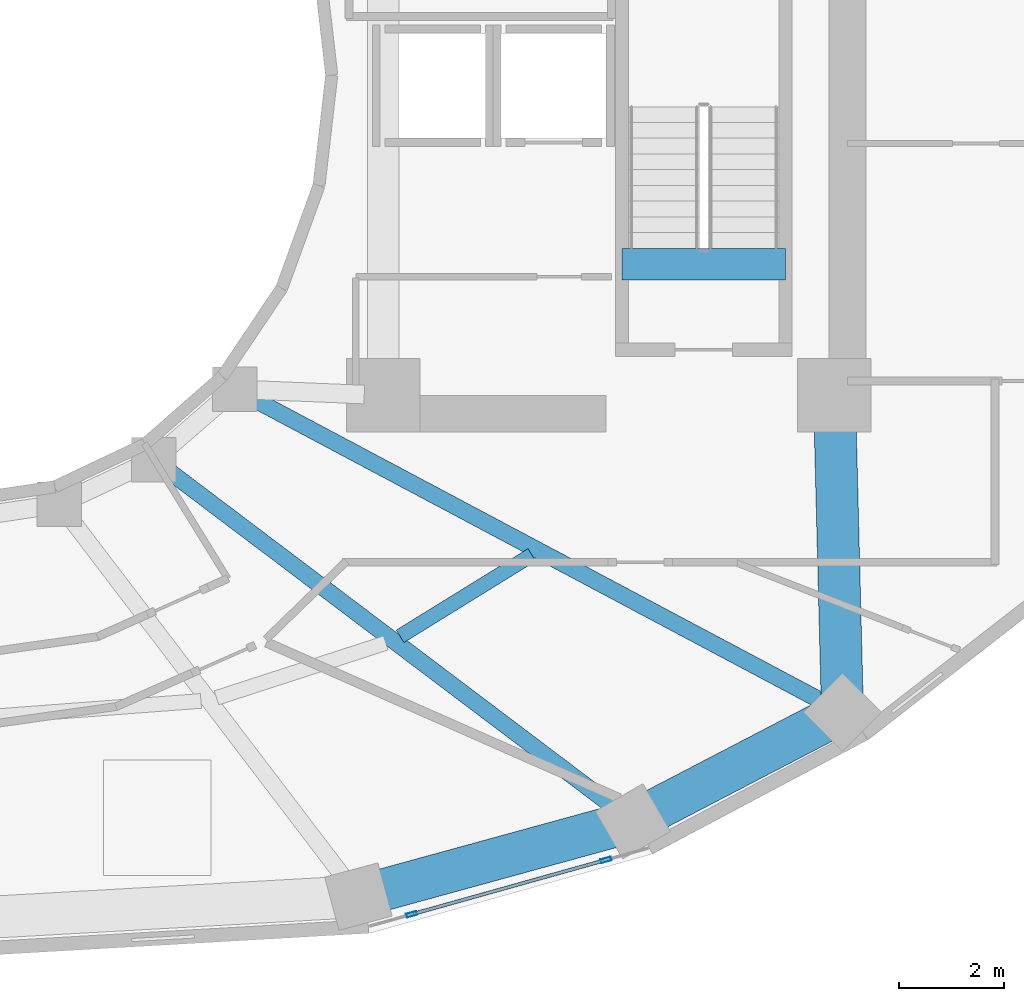
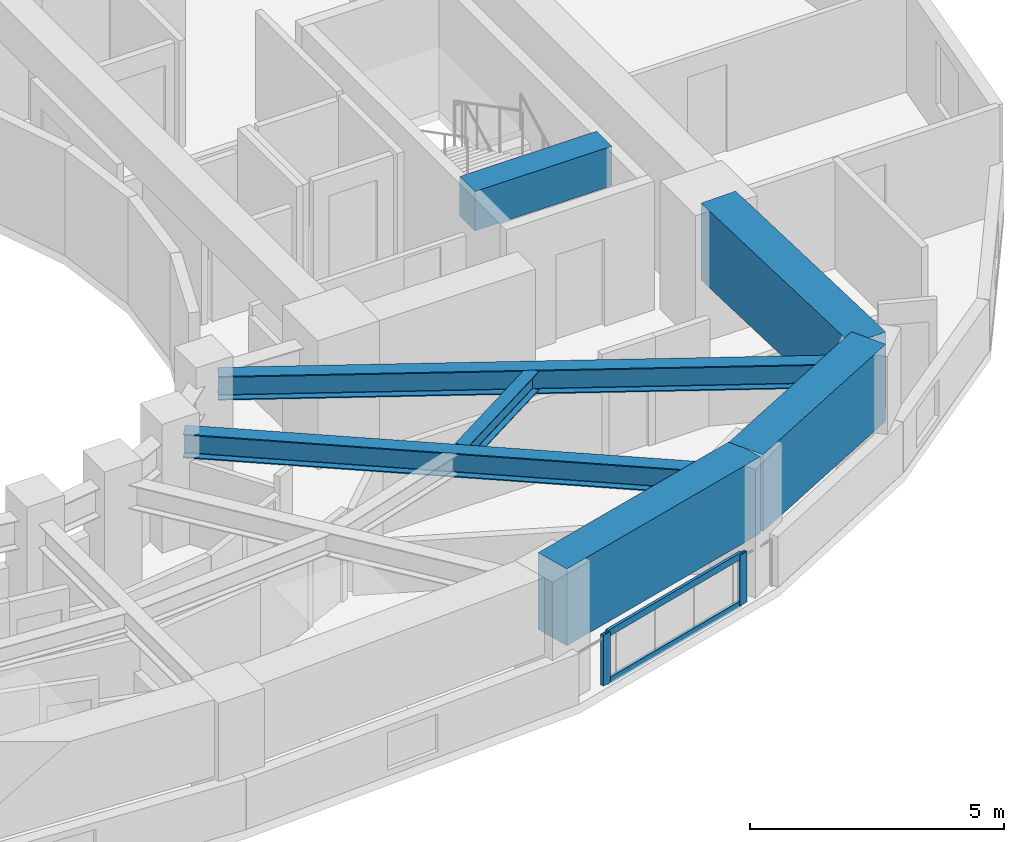
# One storey, part 4 of 16: 7 beams, 4 members, 1 element without a shape of its own.
"""IFC4 building model written with IfcOpenShell, lengths in metres."""

import ifcopenshell
import ifcopenshell.guid

model = None  # the IFC model being written
_history = None  # IfcOwnerHistory: only IFC2X3 demands one
_inside = {}  # id of a spatial element -> (the spatial element, [elements in it])
_under = {}  # id of a project, library or spatial element -> (it, [spatial elements below it])
_declared = {}  # id of a project -> (the project, [libraries it declares])
_typed = {}  # id of a type object -> (the type object, [elements of that type])
_made_of = {}  # id of a material, layer set ... -> (it, [elements and type objects made of it])


def new_model(schema):
    """Start an empty IFC model of exactly this schema.

    Asked for "IFC4X3", IfcOpenShell would pick the latest addendum, in which some entities
    have other attributes; the version numbers below select the first issue.
    IFC2X3 requires an IfcOwnerHistory on every rooted entity: one is made here for all.
    """
    global model, _history
    if schema == "IFC4X3":
        model = ifcopenshell.file(schema_version=(4, 3, 0, 0))
    else:
        model = ifcopenshell.file(schema=schema)
    _inside.clear()
    _under.clear()
    _declared.clear()
    _typed.clear()
    _made_of.clear()
    _history = None
    if model.schema == "IFC2X3":
        org = make("IfcOrganization", Name="unknown")
        user = make(
            "IfcPersonAndOrganization",
            ThePerson=make("IfcPerson", FamilyName="unknown"),
            TheOrganization=org,
        )
        app = make(
            "IfcApplication",
            ApplicationDeveloper=org,
            Version="unknown",
            ApplicationFullName="unknown",
            ApplicationIdentifier="unknown",
        )
        _history = make(
            "IfcOwnerHistory",
            OwningUser=user,
            OwningApplication=app,
            ChangeAction="ADDED",
            CreationDate=0,
        )
    return model


def make(cls, **values):
    """One entity of the class cls with the attributes given. An attribute that is None is left unset."""
    return model.create_entity(
        cls, **{name: value for name, value in values.items() if value is not None}
    )


def rooted(cls, **values):
    """An entity with a GlobalId (a new one), such as an element, a storey or a relation."""
    return make(cls, GlobalId=ifcopenshell.guid.new(), OwnerHistory=_history, **values)


def si_unit(unit_type, name, prefix=None):
    """IfcSIUnit, for example si_unit("LENGTHUNIT", "METRE", prefix="MILLI")."""
    return make("IfcSIUnit", UnitType=unit_type, Prefix=prefix, Name=name)


def assignment(units):
    """IfcUnitAssignment: the units of a project."""
    return None if units is None else make("IfcUnitAssignment", Units=units)


def point(xyz):
    """IfcCartesianPoint."""
    return None if xyz is None else make("IfcCartesianPoint", Coordinates=xyz)


def direction(xyz):
    """IfcDirection."""
    return None if xyz is None else make("IfcDirection", DirectionRatios=xyz)


def frame(location, z_axis=None, x_axis=None):
    """IfcAxis2Placement3D, a coordinate frame: its origin and axes. An axis left out is left unset."""
    return make(
        "IfcAxis2Placement3D",
        Location=point(location),
        Axis=direction(z_axis),
        RefDirection=direction(x_axis),
    )


def frame_2d(location, x_axis=None):
    """IfcAxis2Placement2D, a coordinate frame in the plane: its origin and x axis."""
    return make(
        "IfcAxis2Placement2D", Location=point(location), RefDirection=direction(x_axis)
    )


def origin():
    """The frame at (0, 0, 0) with its axes left unset."""
    return frame((0.0, 0.0, 0.0))


def origin_2d():
    """The frame at (0, 0) in the plane with its x axis left unset."""
    return frame_2d((0.0, 0.0))


def place(relative_to, where):
    """IfcLocalPlacement: puts the frame where relative to a parent placement (None: the world)."""
    return make(
        "IfcLocalPlacement", PlacementRelTo=relative_to, RelativePlacement=where
    )


def context(
    kind, dimensions, precision=None, world=None, true_north=None, identifier=None
):
    """IfcGeometricRepresentationContext, for example the 3D "Model" context."""
    return make(
        "IfcGeometricRepresentationContext",
        ContextIdentifier=identifier,
        ContextType=kind,
        CoordinateSpaceDimension=dimensions,
        Precision=precision,
        WorldCoordinateSystem=world,
        TrueNorth=true_north,
    )


def subcontext(parent, identifier, kind, view, scale=None):
    """IfcGeometricRepresentationSubContext, for example "Body" below "Model"."""
    return make(
        "IfcGeometricRepresentationSubContext",
        ContextIdentifier=identifier,
        ContextType=kind,
        ParentContext=parent,
        TargetScale=scale,
        TargetView=view,
    )


def project(units=None, contexts=None):
    """IfcProject with its units and contexts."""
    return rooted(
        "IfcProject",
        Name="project",
        RepresentationContexts=contexts,
        UnitsInContext=assignment(units),
    )


def spatial(cls, under=None, at=None, **own):
    """A site, building, storey or space (cls), placed at a placement, below another one or the project."""
    s = rooted(cls, ObjectPlacement=at, **own)
    if under is not None:
        _under.setdefault(under.id(), (under, []))[1].append(s)
    return s


def profile(cls, at=None, kind="AREA", **sizes):
    """A parametric profile (cls). Its sizes go by their IFC names, for example OverallWidth=200.0."""
    return make(cls, ProfileType=kind, Position=at, **sizes)


def rectangle(**sizes):
    """IfcRectangleProfileDef."""
    return profile("IfcRectangleProfileDef", **sizes)


def hollow_rectangle(**sizes):
    """IfcRectangleHollowProfileDef."""
    return profile("IfcRectangleHollowProfileDef", **sizes)


def i_section(**sizes):
    """IfcIShapeProfileDef."""
    return profile("IfcIShapeProfileDef", **sizes)


def extrude(swept, where, along, depth):
    """IfcExtrudedAreaSolid: the profile swept, set in the frame where, extruded along a direction by depth."""
    return make(
        "IfcExtrudedAreaSolid",
        SweptArea=swept,
        Position=where,
        ExtrudedDirection=direction(along),
        Depth=depth,
    )


def shape(context_of_items, identifier, shape_type, items):
    """IfcShapeRepresentation: the items that make up one representation, for example the "Body"."""
    return make(
        "IfcShapeRepresentation",
        ContextOfItems=context_of_items,
        RepresentationIdentifier=identifier,
        RepresentationType=shape_type,
        Items=items,
    )


def material(Name=None, Category=None):
    """IfcMaterial."""
    return make("IfcMaterial", Name=Name, Category=Category)


def layer(
    of_material, thickness, ventilated=None, Name=None, Category=None, Priority=None
):
    """IfcMaterialLayer: one layer of a wall or slab, of a material (None: an air gap)."""
    return make(
        "IfcMaterialLayer",
        Material=of_material,
        LayerThickness=thickness,
        IsVentilated=ventilated,
        Name=Name,
        Category=Category,
        Priority=Priority,
    )


def layer_set(layers, Name=None):
    """IfcMaterialLayerSet."""
    return make("IfcMaterialLayerSet", MaterialLayers=layers, LayerSetName=Name)


def material_profile(
    of_material, cross_section, Name=None, Category=None, Priority=None
):
    """IfcMaterialProfile: a cross section and its material."""
    return make(
        "IfcMaterialProfile",
        Name=Name,
        Material=of_material,
        Profile=cross_section,
        Priority=Priority,
        Category=Category,
    )


def profile_set(profiles, Name=None, composite=None):
    """IfcMaterialProfileSet."""
    return make(
        "IfcMaterialProfileSet",
        Name=Name,
        MaterialProfiles=profiles,
        CompositeProfile=composite,
    )


def made_of(thing, what):
    """Note that an element or type object is made of a material, layer set ...; save() writes the relation."""
    if what is not None:
        _made_of.setdefault(what.id(), (what, []))[1].append(thing)
    return thing


def type_object(cls, material=None, **own):
    """A type object (cls), such as IfcWallType, which elements share."""
    return made_of(rooted(cls, **own), material)


def element(
    cls,
    number,
    at=None,
    inside=None,
    cuts=None,
    type_object=None,
    material=None,
    context=None,
    identifier="Body",
    shape_type=None,
    held_by="IfcProductDefinitionShape",
    body=None,
    shapes=None,
    **own,
):
    """One element of the class cls, such as IfcWall. Its Tag is "e" and its number.

    at: its placement. inside: the storey or other place that contains it. cuts: it is an
    opening in that element (IfcRelVoidsElement). A single representation is given by context,
    identifier, shape_type and body (its items); several are given by shapes. held_by: the class
    of the entity that holds the representations. save() writes the other relations.
    """
    e = rooted(cls, Tag="e%d" % number, ObjectPlacement=at, **own)
    if body is not None:
        shapes = [shape(context, identifier, shape_type, body)]
    if shapes is not None:
        e.Representation = make(held_by, Representations=shapes)
    if inside is not None:
        _inside.setdefault(inside.id(), (inside, []))[1].append(e)
    if cuts is not None:
        rooted(
            "IfcRelVoidsElement", RelatingBuildingElement=cuts, RelatedOpeningElement=e
        )
    if type_object is not None:
        _typed.setdefault(type_object.id(), (type_object, []))[1].append(e)
    return made_of(e, material)


def aggregate(whole, parts):
    """IfcRelAggregates: a whole, such as a stair, and the parts it consists of."""
    return rooted("IfcRelAggregates", RelatingObject=whole, RelatedObjects=parts)


def save(model, path):
    """Write the relations noted so far, then the file.

    IfcRelAggregates (storeys below a building ...), IfcRelContainedInSpatialStructure (elements
    in a storey), IfcRelDefinesByType, IfcRelAssociatesMaterial and IfcRelDeclares: one each for
    every whole, place, type object, material and project.
    """
    for whole, parts in _under.values():
        aggregate(whole, parts)
    for where, things in _inside.values():
        rooted(
            "IfcRelContainedInSpatialStructure",
            RelatedElements=things,
            RelatingStructure=where,
        )
    for kind, things in _typed.values():
        rooted("IfcRelDefinesByType", RelatedObjects=things, RelatingType=kind)
    for what, things in _made_of.values():
        rooted("IfcRelAssociatesMaterial", RelatedObjects=things, RelatingMaterial=what)
    for by, libraries in _declared.values():
        rooted("IfcRelDeclares", RelatingContext=by, RelatedDefinitions=libraries)
    model.write(path)


model = new_model("IFC4")

# Units and contexts
model_context = context("Model", 3, precision=1e-05, world=origin(), true_north=direction((0.0, 1.0)))
body_context = subcontext(model_context, "Body", "Model", "MODEL_VIEW")
ifc_project = project(units=[si_unit("LENGTHUNIT", "METRE"), si_unit("AREAUNIT", "SQUARE_METRE"), si_unit("VOLUMEUNIT", "CUBIC_METRE"), si_unit("PLANEANGLEUNIT", "RADIAN"), si_unit("MASSUNIT", "GRAM", prefix="KILO")], contexts=[model_context])

# Site, building, storey
site_placement = place(None, origin())
site = spatial("IfcSite", under=ifc_project, at=site_placement, CompositionType="ELEMENT")
building_placement = place(site_placement, origin())
building = spatial("IfcBuilding", under=site, at=building_placement, Name="Solvane Sanctuary Tower", CompositionType="ELEMENT")
storey_placement = place(building_placement, frame((0.0, 0.0, 119.699951171875)))
storey = spatial("IfcBuildingStorey", under=building, at=storey_placement, Name="L36", CompositionType="ELEMENT", Elevation=119.699951171875)

# Beams
ifc_material_1 = material(Name="Concrete C70/85", Category="concrete")
ifc_material_profile_1 = material_profile(ifc_material_1, rectangle(XDim=0.60009765625, YDim=0.949951171875, at=origin_2d()), Name="RC600X950")
ifc_profile_set_1 = profile_set([ifc_material_profile_1], Name="Concrete C70/85")
beam_type_1 = type_object("IfcBeamType", Name="Beam B-COUPLE RC600X950", PredefinedType="LINTEL", material=ifc_profile_set_1)
beam_1_placement = place(storey_placement, frame((44.64990234375, 19.399169921875, 2.625), z_axis=(1.0, 0.0, 0.0), x_axis=(0.0, 1.0, 0.0)))
element("IfcBeam", 1, at=beam_1_placement, inside=storey, type_object=beam_type_1, Name="L36 ST-2 Stair Floor Landing Trimmer", PredefinedType="LINTEL", context=body_context, shape_type="SweptSolid", body=[
    extrude(rectangle(XDim=0.60009765625, YDim=0.949951171875, at=origin_2d()), origin(), (0.0, 0.0, 1.0), 3.1201171875),
])
ifc_material_2 = material(Name="Steel ASTM A992 Grade 50", Category="steel")
ifc_material_profile_2 = material_profile(ifc_material_2, i_section(OverallWidth=0.31494140625, OverallDepth=0.575927734375, WebThickness=0.01513671875, FlangeThickness=0.0244140625, FilletRadius=0.014892578125, at=origin_2d()), Name="W21X122")
ifc_profile_set_2 = profile_set([ifc_material_profile_2], Name="Steel ASTM A992 Grade 50")
beam_type_2 = type_object("IfcBeamType", Name="Beam B-RAD-Z2 W21X122", PredefinedType="BEAM", material=ifc_profile_set_2)
beam_2_placement = place(storey_placement, frame((35.95361328125, 15.504638671875, 2.31005859375), z_axis=(0.798116040134, -0.602503764703, 0.0), x_axis=(0.602503764703, 0.798116040134, 0.0)))
element("IfcBeam", 2, at=beam_2_placement, inside=storey, type_object=beam_type_2, Name="L36 Radial Composite Floor Beam 13", PredefinedType="BEAM", context=body_context, shape_type="SweptSolid", body=[
    extrude(i_section(OverallWidth=0.31494140625, OverallDepth=0.575927734375, WebThickness=0.01513671875, FlangeThickness=0.0244140625, FilletRadius=0.014892578125, at=origin_2d()), origin(), (0.0, 0.0, 1.0), 10.876953125),
])
beam_3_placement = place(storey_placement, frame((37.522216796875, 16.886474609375, 2.31005859375), z_axis=(0.882951984843, -0.469463302572, 0.0), x_axis=(0.469463302572, 0.882951984843, 0.0)))
element("IfcBeam", 3, at=beam_3_placement, inside=storey, type_object=beam_type_2, Name="L36 Radial Composite Floor Beam 14", PredefinedType="BEAM", context=body_context, shape_type="SweptSolid", body=[
    extrude(i_section(OverallWidth=0.31494140625, OverallDepth=0.575927734375, WebThickness=0.01513671875, FlangeThickness=0.0244140625, FilletRadius=0.014892578125, at=origin_2d()), origin(), (0.0, 0.0, 1.0), 12.552734375),
])
ifc_material_profile_3 = material_profile(ifc_material_2, i_section(OverallWidth=0.280029296875, OverallDepth=0.462890625, WebThickness=0.0107421875, FlangeThickness=0.017333984375, FilletRadius=0.013916015625, at=origin_2d()), Name="W18X76")
ifc_profile_set_3 = profile_set([ifc_material_profile_3], Name="Steel ASTM A992 Grade 50")
beam_type_3 = type_object("IfcBeamType", Name="Beam B-SEC-JOIST W18X76", PredefinedType="JOIST", material=ifc_profile_set_3)
beam_4_placement = place(storey_placement, frame((40.423828125, 12.30810546875, 2.366455078125), z_axis=(0.85065981691, 0.525716535687, 0.0), x_axis=(-0.525716535687, 0.85065981691, 0.0)))
element("IfcBeam", 4, at=beam_4_placement, inside=storey, type_object=beam_type_3, Name="L36 Secondary Circumferential Joist 13-14", PredefinedType="JOIST", context=body_context, shape_type="SweptSolid", body=[
    extrude(i_section(OverallWidth=0.280029296875, OverallDepth=0.462890625, WebThickness=0.0107421875, FlangeThickness=0.017333984375, FilletRadius=0.013916015625, at=origin_2d()), origin(), (0.0, 0.0, 1.0), 2.951171875),
])
ifc_material_profile_4 = material_profile(ifc_material_1, rectangle(XDim=0.800048828125, YDim=1.85009765625, at=origin_2d()), Name="RC800X1850")
ifc_profile_set_4 = profile_set([ifc_material_profile_4], Name="Concrete C70/85")
beam_type_4 = type_object("IfcBeamType", Name="Beam B-XFER-BLK RC800X1850", PredefinedType="BEAM", material=ifc_profile_set_4)
beam_5_placement = place(storey_placement, frame((39.62939453125, 7.347900390625, 2.175048828125), z_axis=(0.964365802426, 0.264572483661, 0.0), x_axis=(-0.264572483661, 0.964365802426, 0.0)))
element("IfcBeam", 5, at=beam_5_placement, inside=storey, type_object=beam_type_4, Name="L36 Perimeter Step Transfer Ring NTC12-NTC13", PredefinedType="BEAM", context=body_context, shape_type="SweptSolid", body=[
    extrude(rectangle(XDim=0.800048828125, YDim=1.85009765625, at=origin_2d()), origin(), (0.0, 0.0, 1.0), 5.422119140625),
])
beam_6_placement = place(storey_placement, frame((44.8583984375, 8.782470703125, 2.175048828125), z_axis=(0.887022336415, 0.46172651505, 0.0), x_axis=(-0.46172651505, 0.887022336415, 0.0)))
element("IfcBeam", 6, at=beam_6_placement, inside=storey, type_object=beam_type_4, Name="L36 Perimeter Step Transfer Ring NTC13-NTC14", PredefinedType="BEAM", context=body_context, shape_type="SweptSolid", body=[
    extrude(rectangle(XDim=0.800048828125, YDim=1.85009765625, at=origin_2d()), origin(), (0.0, 0.0, 1.0), 4.50341796875),
])
beam_7_placement = place(storey_placement, frame((48.85302734375, 10.86181640625, 2.175048828125), z_axis=(-0.025359457149, 0.999678397252, 0.0), x_axis=(-0.999678397252, -0.025359457149, 0.0)))
element("IfcBeam", 7, at=beam_7_placement, inside=storey, type_object=beam_type_4, Name="L36 Perimeter Step Transfer Ring NTC14-CE2", PredefinedType="BEAM", context=body_context, shape_type="SweptSolid", body=[
    extrude(rectangle(XDim=0.800048828125, YDim=1.85009765625, at=origin_2d()), origin(), (0.0, 0.0, 1.0), 5.679931640625),
])

# Curtain wall, members
ifc_material_3 = material(Name="Anodised Aluminium 6063-T6", Category="aluminium")
ifc_layer = layer(ifc_material_3, 0.179931640625, Name="Anodised Aluminium 6063-T6")
ifc_layer_set = layer_set([ifc_layer], Name="Anodised Aluminium 6063-T6")
curtain_wall_type = type_object("IfcCurtainWallType", Name="Curtain Wall CW-FRIT-Z2", PredefinedType="NOTDEFINED", material=ifc_layer_set)
curtain_wall_placement = place(storey_placement, origin())
curtain_wall = element("IfcCurtainWall", 8, at=curtain_wall_placement, inside=storey, type_object=curtain_wall_type, Name="L36 CW-FRIT-Z2 Facade Run 19", PredefinedType="NOTDEFINED")
ifc_material_profile_5 = material_profile(ifc_material_3, hollow_rectangle(XDim=0.074951171875, YDim=0.199951171875, WallThickness=0.00390625, at=origin_2d()), Name="ALU200X75X4")
ifc_profile_set_5 = profile_set([ifc_material_profile_5], Name="Anodised Aluminium 6063-T6")
member_type_1 = type_object("IfcMemberType", Name="Member M-CW-MUL-1 ALU200X75X4", PredefinedType="MULLION", material=ifc_profile_set_5)
member_1_placement = place(storey_placement, frame((40.64208984375, 7.009521484375, 0.0), z_axis=(0.0, 0.0, 1.0), x_axis=(-0.269704615814, 0.962943103308, 0.0)))
member_1 = element("IfcMember", 9, at=member_1_placement, type_object=member_type_1, Name="CW-FRIT-Z2 mullion 1", PredefinedType="MULLION", context=body_context, shape_type="SweptSolid", body=[
    extrude(hollow_rectangle(XDim=0.074951171875, YDim=0.199951171875, WallThickness=0.00390625, at=origin_2d()), origin(), (0.0, 0.0, 1.0), 1.219970703125),
])
member_2_placement = place(storey_placement, frame((44.34765625, 8.047607421875, 0.0), z_axis=(0.0, 0.0, 1.0), x_axis=(-0.269704615814, 0.962943103308, 0.0)))
member_2 = element("IfcMember", 10, at=member_2_placement, type_object=member_type_1, Name="CW-FRIT-Z2 mullion 2", PredefinedType="MULLION", context=body_context, shape_type="SweptSolid", body=[
    extrude(hollow_rectangle(XDim=0.074951171875, YDim=0.199951171875, WallThickness=0.00390625, at=origin_2d()), origin(), (0.0, 0.0, 1.0), 1.219970703125),
])
ifc_material_profile_6 = material_profile(ifc_material_3, hollow_rectangle(XDim=0.06494140625, YDim=0.159912109375, WallThickness=0.00341796875, at=origin_2d()), Name="ALU160X65X3.5")
ifc_profile_set_6 = profile_set([ifc_material_profile_6], Name="Anodised Aluminium 6063-T6")
member_type_2 = type_object("IfcMemberType", Name="Member M-CW-TRN-1 ALU160X65X3.5", PredefinedType="USERDEFINED", material=ifc_profile_set_6)
member_3_placement = place(storey_placement, frame((40.67822265625, 7.019775390625, 0.032470703125), z_axis=(0.9629465453, 0.269692326355, 0.0), x_axis=(-0.269692326355, 0.9629465453, 0.0)))
member_3 = element("IfcMember", 11, at=member_3_placement, type_object=member_type_2, Name="CW-FRIT-Z2 transom 1.1", ObjectType="TRANSOM", PredefinedType="USERDEFINED", context=body_context, shape_type="SweptSolid", body=[
    extrude(hollow_rectangle(XDim=0.06494140625, YDim=0.159912109375, WallThickness=0.00341796875, at=origin_2d()), origin(), (0.0, 0.0, 1.0), 3.773193359375),
])
member_4_placement = place(storey_placement, frame((40.67822265625, 7.019775390625, 1.1875), z_axis=(0.9629465453, 0.269692326355, 0.0), x_axis=(-0.269692326355, 0.9629465453, 0.0)))
member_4 = element("IfcMember", 12, at=member_4_placement, type_object=member_type_2, Name="CW-FRIT-Z2 transom 1.2", ObjectType="TRANSOM", PredefinedType="USERDEFINED", context=body_context, shape_type="SweptSolid", body=[
    extrude(hollow_rectangle(XDim=0.06494140625, YDim=0.159912109375, WallThickness=0.00341796875, at=origin_2d()), origin(), (0.0, 0.0, 1.0), 3.773193359375),
])
aggregate(curtain_wall, [member_1, member_2, member_3, member_4])

save(model, "model.ifc")
